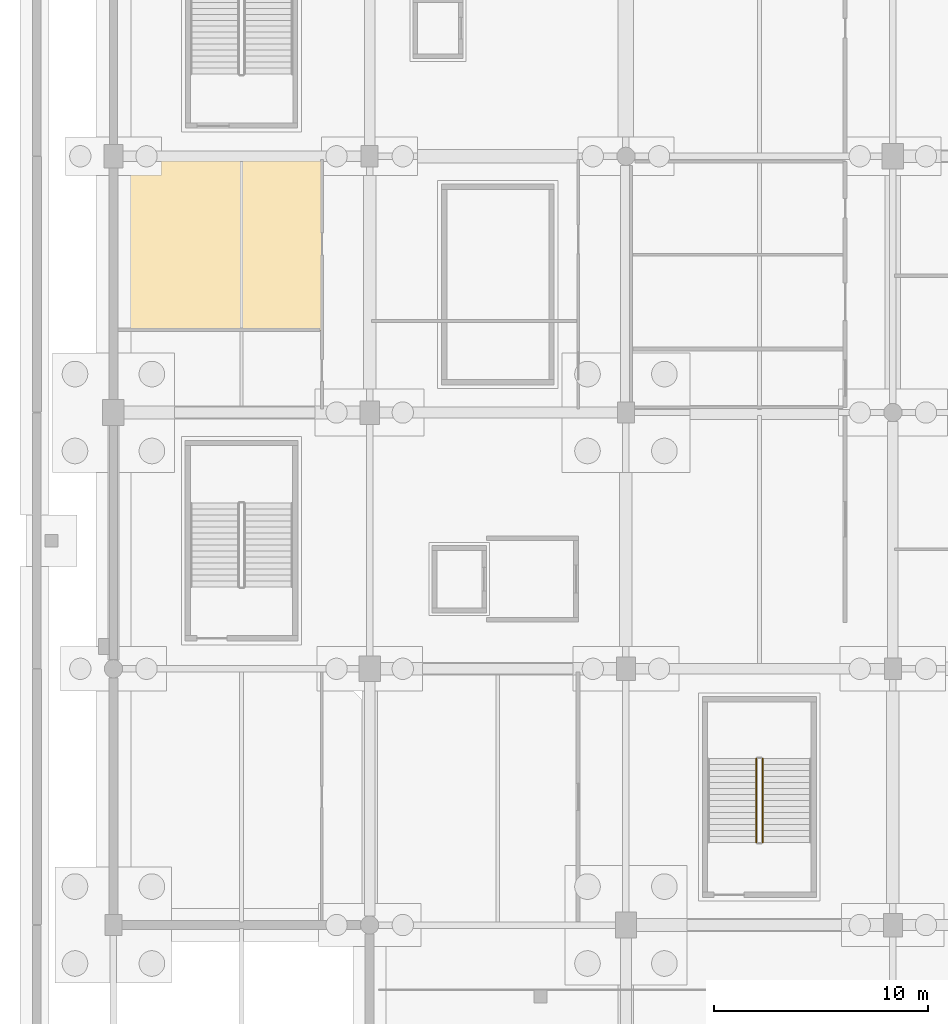
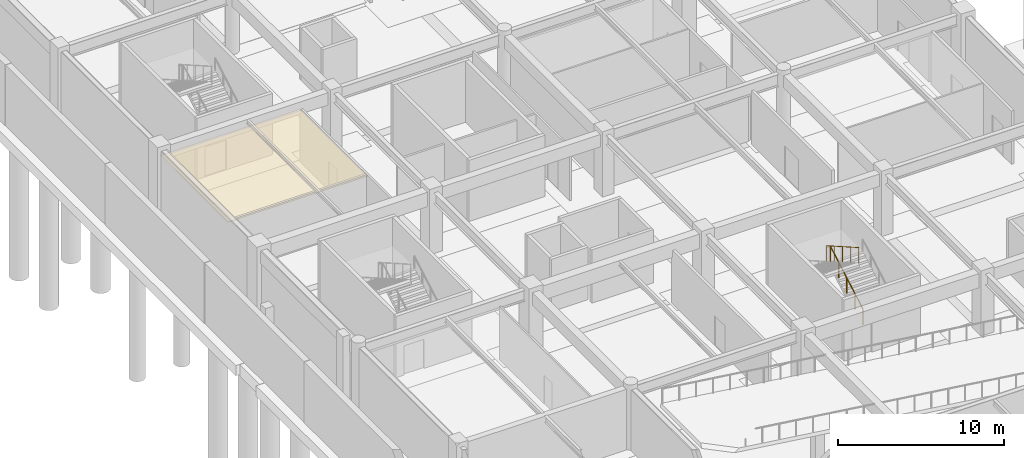
# One storey, part 44 of 56: 2 railings, 1 covering.
"""IFC4 building model written with IfcOpenShell, lengths in metres."""

from ifc_helpers import new_model, si_unit, direction, frame, origin, origin_2d, place, context, subcontext, project, spatial, polyline, circle, outline, extrude, material, layer, layer_set, type_object, element, save


model = new_model("IFC4")

# Units and contexts
model_context = context("Model", 3, precision=1e-05, world=origin(), true_north=direction((0.0, 1.0)))
body_context = subcontext(model_context, "Body", "Model", "MODEL_VIEW")
ifc_project = project(units=[si_unit("LENGTHUNIT", "METRE"), si_unit("AREAUNIT", "SQUARE_METRE"), si_unit("VOLUMEUNIT", "CUBIC_METRE"), si_unit("PLANEANGLEUNIT", "RADIAN"), si_unit("MASSUNIT", "GRAM", prefix="KILO")], contexts=[model_context])

# Site, building, storey
site_placement = place(None, origin())
site = spatial("IfcSite", under=ifc_project, at=site_placement, CompositionType="ELEMENT")
building_placement = place(site_placement, origin())
building = spatial("IfcBuilding", under=site, at=building_placement, Name="Kazenohara Klinker Stadium", CompositionType="ELEMENT")
storey_placement = place(building_placement, frame((0.0, 0.0, -4.800048828125)))
storey = spatial("IfcBuildingStorey", under=building, at=storey_placement, Name="B01", CompositionType="ELEMENT", Elevation=-4.800048828125)

# Covering
ifc_material_1 = material(Name="Perforated acoustic mineral-fibre ceiling tile", Category="gypsum")
ifc_layer_1 = layer(ifc_material_1, 0.030029296875)
ifc_layer_set_1 = layer_set([ifc_layer_1], Name="Perforated acoustic mineral-fibre ceiling tile")
covering_type = type_object("IfcCoveringType", Name="COV-CEIL-01", PredefinedType="CEILING", material=ifc_layer_set_1)
covering_placement = place(storey_placement, frame((0.0, 0.0, 3.75)))
element("IfcCovering", 1, at=covering_placement, inside=storey, type_object=covering_type, Name="Suspended acoustic ceiling CL01 Sports Hydrotherapy Recovery Clinic B01-0004B", PredefinedType="CEILING", context=body_context, shape_type="SweptSolid", body=[
    extrude(outline(polyline([(0.06005859375, 51.834228515625), (9.7900390625, 51.834228515625), (9.7900390625, 59.9599609375), (0.06005859375, 59.9599609375), (0.06005859375, 51.834228515625)])), origin(), (0.0, 0.0, 1.0), 0.030029296875),
])

# Railings
ifc_material_2 = material(Name="Painted steel stairwell guardrail", Category="steel")
ifc_layer_2 = layer(ifc_material_2, 0.06005859375)
ifc_layer_set_2 = layer_set([ifc_layer_2], Name="Painted steel stairwell guardrail")
railing_type = type_object("IfcRailingType", Name="RL-STG-1120", PredefinedType="GUARDRAIL", material=ifc_layer_set_2)
railing_1_placement = place(storey_placement, frame((30.39990234375, 27.8701171875, 0.16015625)))
element("IfcRailing", 2, at=railing_1_placement, inside=storey, type_object=railing_type, Name="B01 ST07 stair guard 1", PredefinedType="GUARDRAIL", context=body_context, shape_type="SweptSolid", body=[
    extrude(circle(Radius=0.02392578125, at=origin_2d()), frame((0.0, 0.0, 1.1259765625), z_axis=(0.0, 0.868239814368, 0.496144761885), x_axis=(-1.0, 0.0, 0.0)), (0.0, 0.0, 1.0), 4.514892578125),
    extrude(circle(Radius=0.02099609375, at=origin_2d()), origin(), (0.0, 0.0, 1.0), 1.101806640625),
    extrude(circle(Radius=0.02099609375, at=origin_2d()), frame((0.0, 0.97998046875, 0.56005859375)), (0.0, 0.0, 1.0), 1.101806640625),
    extrude(circle(Radius=0.02099609375, at=origin_2d()), frame((0.0, 1.9599609375, 1.1201171875)), (0.0, 0.0, 1.0), 1.101806640625),
    extrude(circle(Radius=0.02099609375, at=origin_2d()), frame((0.0, 2.93994140625, 1.679931640625)), (0.0, 0.0, 1.0), 1.101806640625),
    extrude(circle(Radius=0.02099609375, at=origin_2d()), frame((0.0, 3.919921875, 2.239990234375)), (0.0, 0.0, 1.0), 1.101806640625),
])
railing_2_placement = place(storey_placement, frame((30.10009765625, 31.7900390625, 2.56005859375)))
element("IfcRailing", 3, at=railing_2_placement, inside=storey, type_object=railing_type, Name="B01 ST07 stair guard 3", PredefinedType="GUARDRAIL", context=body_context, shape_type="SweptSolid", body=[
    extrude(circle(Radius=0.02392578125, at=origin_2d()), frame((0.0, 0.0, 1.1259765625), z_axis=(0.0, -0.868239814368, 0.496144761885), x_axis=(1.0, 0.0, 0.0)), (0.0, 0.0, 1.0), 4.514892578125),
    extrude(circle(Radius=0.02099609375, at=origin_2d()), origin(), (0.0, 0.0, 1.0), 1.101806640625),
    extrude(circle(Radius=0.02099609375, at=origin_2d()), frame((0.0, -0.97998046875, 0.56005859375)), (0.0, 0.0, 1.0), 1.101806640625),
    extrude(circle(Radius=0.02099609375, at=origin_2d()), frame((0.0, -1.9599609375, 1.1201171875)), (0.0, 0.0, 1.0), 1.101806640625),
    extrude(circle(Radius=0.02099609375, at=origin_2d()), frame((0.0, -2.93994140625, 1.679931640625)), (0.0, 0.0, 1.0), 1.101806640625),
    extrude(circle(Radius=0.02099609375, at=origin_2d()), frame((0.0, -3.919921875, 2.239990234375)), (0.0, 0.0, 1.0), 1.101806640625),
])

save(model, "model.ifc")
